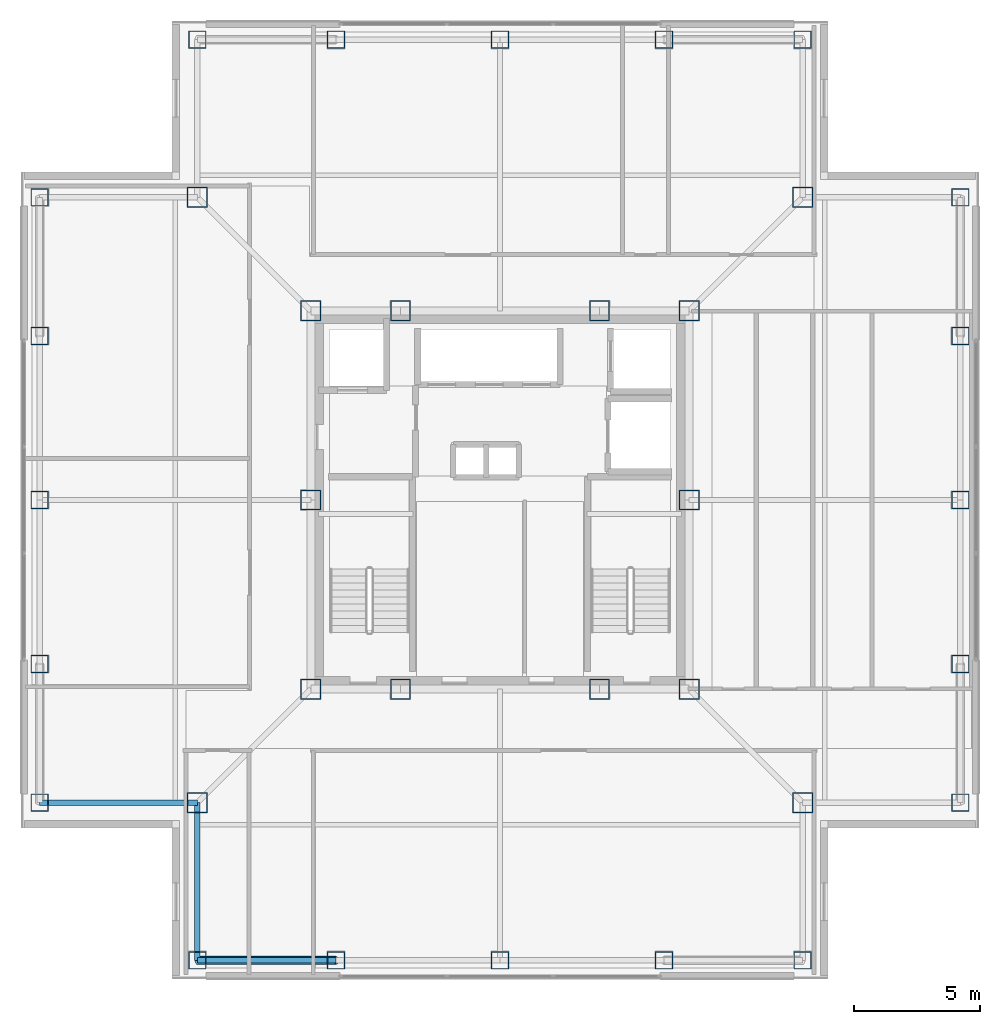
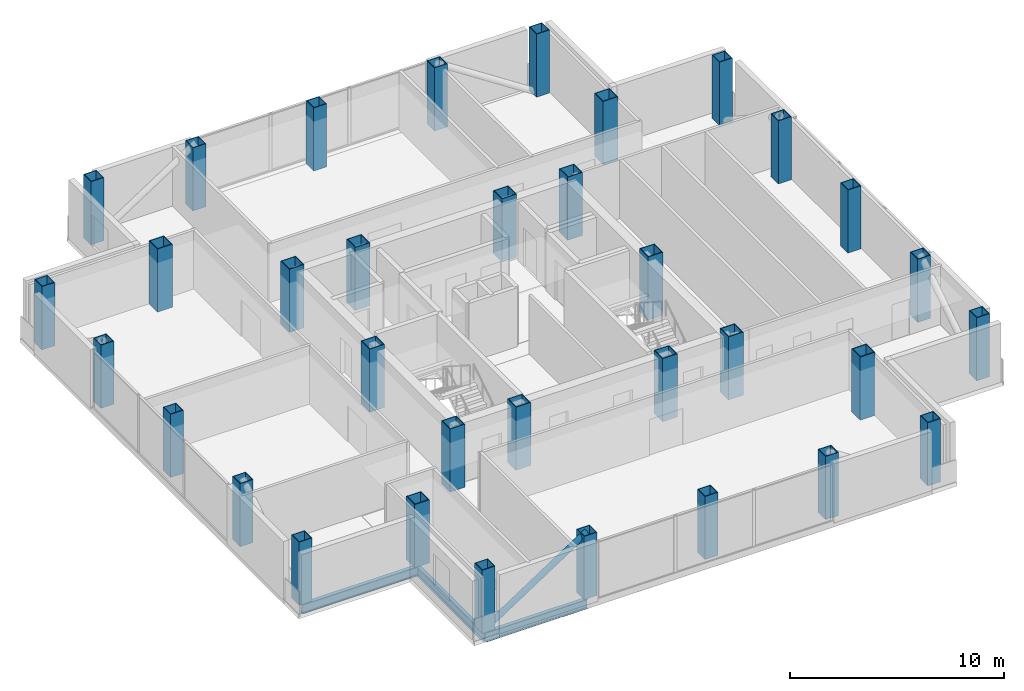
# One storey, part 1 of 16: 34 columns, 3 beams, 1 member.
"""IFC4 building model written with IfcOpenShell, lengths in metres."""

import ifcopenshell
import ifcopenshell.guid

model = None  # the IFC model being written
_history = None  # IfcOwnerHistory: only IFC2X3 demands one
_inside = {}  # id of a spatial element -> (the spatial element, [elements in it])
_under = {}  # id of a project, library or spatial element -> (it, [spatial elements below it])
_declared = {}  # id of a project -> (the project, [libraries it declares])
_typed = {}  # id of a type object -> (the type object, [elements of that type])
_made_of = {}  # id of a material, layer set ... -> (it, [elements and type objects made of it])


def new_model(schema):
    """Start an empty IFC model of exactly this schema.

    Asked for "IFC4X3", IfcOpenShell would pick the latest addendum, in which some entities
    have other attributes; the version numbers below select the first issue.
    IFC2X3 requires an IfcOwnerHistory on every rooted entity: one is made here for all.
    """
    global model, _history
    if schema == "IFC4X3":
        model = ifcopenshell.file(schema_version=(4, 3, 0, 0))
    else:
        model = ifcopenshell.file(schema=schema)
    _inside.clear()
    _under.clear()
    _declared.clear()
    _typed.clear()
    _made_of.clear()
    _history = None
    if model.schema == "IFC2X3":
        org = make("IfcOrganization", Name="unknown")
        user = make(
            "IfcPersonAndOrganization",
            ThePerson=make("IfcPerson", FamilyName="unknown"),
            TheOrganization=org,
        )
        app = make(
            "IfcApplication",
            ApplicationDeveloper=org,
            Version="unknown",
            ApplicationFullName="unknown",
            ApplicationIdentifier="unknown",
        )
        _history = make(
            "IfcOwnerHistory",
            OwningUser=user,
            OwningApplication=app,
            ChangeAction="ADDED",
            CreationDate=0,
        )
    return model


def make(cls, **values):
    """One entity of the class cls with the attributes given. An attribute that is None is left unset."""
    return model.create_entity(
        cls, **{name: value for name, value in values.items() if value is not None}
    )


def rooted(cls, **values):
    """An entity with a GlobalId (a new one), such as an element, a storey or a relation."""
    return make(cls, GlobalId=ifcopenshell.guid.new(), OwnerHistory=_history, **values)


def si_unit(unit_type, name, prefix=None):
    """IfcSIUnit, for example si_unit("LENGTHUNIT", "METRE", prefix="MILLI")."""
    return make("IfcSIUnit", UnitType=unit_type, Prefix=prefix, Name=name)


def assignment(units):
    """IfcUnitAssignment: the units of a project."""
    return None if units is None else make("IfcUnitAssignment", Units=units)


def point(xyz):
    """IfcCartesianPoint."""
    return None if xyz is None else make("IfcCartesianPoint", Coordinates=xyz)


def direction(xyz):
    """IfcDirection."""
    return None if xyz is None else make("IfcDirection", DirectionRatios=xyz)


def frame(location, z_axis=None, x_axis=None):
    """IfcAxis2Placement3D, a coordinate frame: its origin and axes. An axis left out is left unset."""
    return make(
        "IfcAxis2Placement3D",
        Location=point(location),
        Axis=direction(z_axis),
        RefDirection=direction(x_axis),
    )


def frame_2d(location, x_axis=None):
    """IfcAxis2Placement2D, a coordinate frame in the plane: its origin and x axis."""
    return make(
        "IfcAxis2Placement2D", Location=point(location), RefDirection=direction(x_axis)
    )


def origin():
    """The frame at (0, 0, 0) with its axes left unset."""
    return frame((0.0, 0.0, 0.0))


def origin_2d():
    """The frame at (0, 0) in the plane with its x axis left unset."""
    return frame_2d((0.0, 0.0))


def place(relative_to, where):
    """IfcLocalPlacement: puts the frame where relative to a parent placement (None: the world)."""
    return make(
        "IfcLocalPlacement", PlacementRelTo=relative_to, RelativePlacement=where
    )


def context(
    kind, dimensions, precision=None, world=None, true_north=None, identifier=None
):
    """IfcGeometricRepresentationContext, for example the 3D "Model" context."""
    return make(
        "IfcGeometricRepresentationContext",
        ContextIdentifier=identifier,
        ContextType=kind,
        CoordinateSpaceDimension=dimensions,
        Precision=precision,
        WorldCoordinateSystem=world,
        TrueNorth=true_north,
    )


def subcontext(parent, identifier, kind, view, scale=None):
    """IfcGeometricRepresentationSubContext, for example "Body" below "Model"."""
    return make(
        "IfcGeometricRepresentationSubContext",
        ContextIdentifier=identifier,
        ContextType=kind,
        ParentContext=parent,
        TargetScale=scale,
        TargetView=view,
    )


def project(units=None, contexts=None):
    """IfcProject with its units and contexts."""
    return rooted(
        "IfcProject",
        Name="project",
        RepresentationContexts=contexts,
        UnitsInContext=assignment(units),
    )


def spatial(cls, under=None, at=None, **own):
    """A site, building, storey or space (cls), placed at a placement, below another one or the project."""
    s = rooted(cls, ObjectPlacement=at, **own)
    if under is not None:
        _under.setdefault(under.id(), (under, []))[1].append(s)
    return s


def profile(cls, at=None, kind="AREA", **sizes):
    """A parametric profile (cls). Its sizes go by their IFC names, for example OverallWidth=200.0."""
    return make(cls, ProfileType=kind, Position=at, **sizes)


def hollow_rectangle(**sizes):
    """IfcRectangleHollowProfileDef."""
    return profile("IfcRectangleHollowProfileDef", **sizes)


def hollow_circle(**sizes):
    """IfcCircleHollowProfileDef."""
    return profile("IfcCircleHollowProfileDef", **sizes)


def i_section(**sizes):
    """IfcIShapeProfileDef."""
    return profile("IfcIShapeProfileDef", **sizes)


def extrude(swept, where, along, depth):
    """IfcExtrudedAreaSolid: the profile swept, set in the frame where, extruded along a direction by depth."""
    return make(
        "IfcExtrudedAreaSolid",
        SweptArea=swept,
        Position=where,
        ExtrudedDirection=direction(along),
        Depth=depth,
    )


def shape(context_of_items, identifier, shape_type, items):
    """IfcShapeRepresentation: the items that make up one representation, for example the "Body"."""
    return make(
        "IfcShapeRepresentation",
        ContextOfItems=context_of_items,
        RepresentationIdentifier=identifier,
        RepresentationType=shape_type,
        Items=items,
    )


def material(Name=None, Category=None):
    """IfcMaterial."""
    return make("IfcMaterial", Name=Name, Category=Category)


def material_profile(
    of_material, cross_section, Name=None, Category=None, Priority=None
):
    """IfcMaterialProfile: a cross section and its material."""
    return make(
        "IfcMaterialProfile",
        Name=Name,
        Material=of_material,
        Profile=cross_section,
        Priority=Priority,
        Category=Category,
    )


def profile_set(profiles, Name=None, composite=None):
    """IfcMaterialProfileSet."""
    return make(
        "IfcMaterialProfileSet",
        Name=Name,
        MaterialProfiles=profiles,
        CompositeProfile=composite,
    )


def made_of(thing, what):
    """Note that an element or type object is made of a material, layer set ...; save() writes the relation."""
    if what is not None:
        _made_of.setdefault(what.id(), (what, []))[1].append(thing)
    return thing


def type_object(cls, material=None, **own):
    """A type object (cls), such as IfcWallType, which elements share."""
    return made_of(rooted(cls, **own), material)


def element(
    cls,
    number,
    at=None,
    inside=None,
    cuts=None,
    type_object=None,
    material=None,
    context=None,
    identifier="Body",
    shape_type=None,
    held_by="IfcProductDefinitionShape",
    body=None,
    shapes=None,
    **own,
):
    """One element of the class cls, such as IfcWall. Its Tag is "e" and its number.

    at: its placement. inside: the storey or other place that contains it. cuts: it is an
    opening in that element (IfcRelVoidsElement). A single representation is given by context,
    identifier, shape_type and body (its items); several are given by shapes. held_by: the class
    of the entity that holds the representations. save() writes the other relations.
    """
    e = rooted(cls, Tag="e%d" % number, ObjectPlacement=at, **own)
    if body is not None:
        shapes = [shape(context, identifier, shape_type, body)]
    if shapes is not None:
        e.Representation = make(held_by, Representations=shapes)
    if inside is not None:
        _inside.setdefault(inside.id(), (inside, []))[1].append(e)
    if cuts is not None:
        rooted(
            "IfcRelVoidsElement", RelatingBuildingElement=cuts, RelatedOpeningElement=e
        )
    if type_object is not None:
        _typed.setdefault(type_object.id(), (type_object, []))[1].append(e)
    return made_of(e, material)


def aggregate(whole, parts):
    """IfcRelAggregates: a whole, such as a stair, and the parts it consists of."""
    return rooted("IfcRelAggregates", RelatingObject=whole, RelatedObjects=parts)


def save(model, path):
    """Write the relations noted so far, then the file.

    IfcRelAggregates (storeys below a building ...), IfcRelContainedInSpatialStructure (elements
    in a storey), IfcRelDefinesByType, IfcRelAssociatesMaterial and IfcRelDeclares: one each for
    every whole, place, type object, material and project.
    """
    for whole, parts in _under.values():
        aggregate(whole, parts)
    for where, things in _inside.values():
        rooted(
            "IfcRelContainedInSpatialStructure",
            RelatedElements=things,
            RelatingStructure=where,
        )
    for kind, things in _typed.values():
        rooted("IfcRelDefinesByType", RelatedObjects=things, RelatingType=kind)
    for what, things in _made_of.values():
        rooted("IfcRelAssociatesMaterial", RelatedObjects=things, RelatingMaterial=what)
    for by, libraries in _declared.values():
        rooted("IfcRelDeclares", RelatingContext=by, RelatedDefinitions=libraries)
    model.write(path)


model = new_model("IFC4")

# Units and contexts
model_context = context("Model", 3, precision=1e-05, world=origin(), true_north=direction((0.0, 1.0)))
body_context = subcontext(model_context, "Body", "Model", "MODEL_VIEW")
ifc_project = project(units=[si_unit("LENGTHUNIT", "METRE"), si_unit("AREAUNIT", "SQUARE_METRE"), si_unit("VOLUMEUNIT", "CUBIC_METRE"), si_unit("PLANEANGLEUNIT", "RADIAN"), si_unit("MASSUNIT", "GRAM", prefix="KILO")], contexts=[model_context])

# Site, building, storey
site_placement = place(None, origin())
site = spatial("IfcSite", under=ifc_project, at=site_placement, CompositionType="ELEMENT")
building_placement = place(site_placement, origin())
building = spatial("IfcBuilding", under=site, at=building_placement, Name="Trevonay Congress Spire", CompositionType="ELEMENT")
storey_placement = place(building_placement, frame((0.0, 0.0, 257.60009765625)))
storey = spatial("IfcBuildingStorey", under=building, at=storey_placement, Name="L67", CompositionType="ELEMENT", Elevation=257.60009765625)

# Columns
ifc_material_1 = material(Name="Steel ASTM A572 Grade 50", Category="steel")
ifc_material_profile_1 = material_profile(ifc_material_1, hollow_rectangle(XDim=0.800048828125, YDim=0.800048828125, WallThickness=0.0400390625, at=origin_2d()), Name="BOX 800x800x40")
ifc_profile_set_1 = profile_set([ifc_material_profile_1], Name="Steel ASTM A572 Grade 50")
column_type_1 = type_object("IfcColumnType", Name="COL-CORE-BOX800", PredefinedType="COLUMN", material=ifc_profile_set_1)
for number, where, z_axis, x_axis, name in (
    (1, (-7.5, -7.5, 0.0), (0.0, 0.0, 1.0), (1.0, 0.0, 0.0), "L67 column C05 at CC-SW"),
    (2, (-3.949951171875, -7.5, 0.0), (0.0, 0.0, 1.0), (1.0, 0.0, 0.0), "L67 column C05 at CC-SMW"),
    (3, (3.949951171875, -7.5, 0.0), (0.0, 0.0, 1.0), (1.0, 0.0, 0.0), "L67 column C05 at CC-SME"),
    (4, (7.5, -7.5, 0.0), (0.0, 0.0, 1.0), (1.0, 0.0, 0.0), "L67 column C05 at CC-SE"),
    (5, (7.5, 0.0, 0.0), (0.0, 0.0, 1.0), (1.0, 0.0, 0.0), "L67 column C05 at CC-E"),
    (6, (7.5, 7.5, 0.0), (0.0, 0.0, 1.0), (1.0, 0.0, 0.0), "L67 column C05 at CC-NE"),
    (7, (3.949951171875, 7.5, 0.0), (0.0, 0.0, 1.0), (1.0, 0.0, 0.0), "L67 column C05 at CC-NME"),
    (8, (-3.949951171875, 7.5, 0.0), (0.0, 0.0, 1.0), (1.0, 0.0, 0.0), "L67 column C05 at CC-NMW"),
    (9, (-7.5, 7.5, 0.0), (0.0, 0.0, 1.0), (1.0, 0.0, 0.0), "L67 column C05 at CC-NW"),
    (10, (-7.5, 0.0, 0.0), (0.0, 0.0, 1.0), (1.0, 0.0, 0.0), "L67 column C05 at CC-W"),
):
    element("IfcColumn", number, at=place(storey_placement, frame(where, z_axis=z_axis, x_axis=x_axis)), inside=storey, type_object=column_type_1, Name=name, PredefinedType="COLUMN", context=body_context, shape_type="SweptSolid", body=[
        extrude(hollow_rectangle(XDim=0.800048828125, YDim=0.800048828125, WallThickness=0.0400390625, at=origin_2d()), origin(), (0.0, 0.0, 1.0), 3.599853515625),
    ])
ifc_material_profile_2 = material_profile(ifc_material_1, hollow_rectangle(XDim=0.699951171875, YDim=0.699951171875, WallThickness=0.034912109375, at=origin_2d()), Name="BOX 700x700x35")
ifc_profile_set_2 = profile_set([ifc_material_profile_2], Name="Steel ASTM A572 Grade 50")
column_type_2 = type_object("IfcColumnType", Name="COL-TUBE-BOX700", PredefinedType="COLUMN", material=ifc_profile_set_2)
for number, where, z_axis, x_axis, name in (
    (11, (-12.0, -18.25, 0.0), (0.0, 0.0, 1.0), (1.0, 0.0, 0.0), "L67 column C17 at TS-1"),
    (12, (-12.0, 18.25, 0.0), (0.0, 0.0, 1.0), (1.0, 0.0, 0.0), "L67 column C17 at TN-1"),
    (13, (-18.25, -12.0, 0.0), (0.0, 0.0, 1.0), (1.0, 0.0, 0.0), "L67 column C17 at TW-1"),
    (14, (18.25, -12.0, 0.0), (0.0, 0.0, 1.0), (1.0, 0.0, 0.0), "L67 column C17 at TE-1"),
    (15, (-6.5, -18.25, 0.0), (0.0, 0.0, 1.0), (1.0, 0.0, 0.0), "L67 column C17 at TS-2"),
    (16, (-6.5, 18.25, 0.0), (0.0, 0.0, 1.0), (1.0, 0.0, 0.0), "L67 column C17 at TN-2"),
    (17, (-18.25, -6.5, 0.0), (0.0, 0.0, 1.0), (1.0, 0.0, 0.0), "L67 column C17 at TW-2"),
    (18, (18.25, -6.5, 0.0), (0.0, 0.0, 1.0), (1.0, 0.0, 0.0), "L67 column C17 at TE-2"),
    (19, (0.0, -18.25, 0.0), (0.0, 0.0, 1.0), (1.0, 0.0, 0.0), "L67 column C17 at TS-3"),
    (20, (0.0, 18.25, 0.0), (0.0, 0.0, 1.0), (1.0, 0.0, 0.0), "L67 column C17 at TN-3"),
    (21, (-18.25, 0.0, 0.0), (0.0, 0.0, 1.0), (1.0, 0.0, 0.0), "L67 column C17 at TW-3"),
    (22, (18.25, 0.0, 0.0), (0.0, 0.0, 1.0), (1.0, 0.0, 0.0), "L67 column C17 at TE-3"),
    (23, (6.5, -18.25, 0.0), (0.0, 0.0, 1.0), (1.0, 0.0, 0.0), "L67 column C17 at TS-4"),
    (24, (6.5, 18.25, 0.0), (0.0, 0.0, 1.0), (1.0, 0.0, 0.0), "L67 column C17 at TN-4"),
    (25, (-18.25, 6.5, 0.0), (0.0, 0.0, 1.0), (1.0, 0.0, 0.0), "L67 column C17 at TW-4"),
    (26, (18.25, 6.5, 0.0), (0.0, 0.0, 1.0), (1.0, 0.0, 0.0), "L67 column C17 at TE-4"),
    (27, (12.0, -18.25, 0.0), (0.0, 0.0, 1.0), (1.0, 0.0, 0.0), "L67 column C17 at TS-5"),
    (28, (12.0, 18.25, 0.0), (0.0, 0.0, 1.0), (1.0, 0.0, 0.0), "L67 column C17 at TN-5"),
    (29, (-18.25, 12.0, 0.0), (0.0, 0.0, 1.0), (1.0, 0.0, 0.0), "L67 column C17 at TW-5"),
    (30, (18.25, 12.0, 0.0), (0.0, 0.0, 1.0), (1.0, 0.0, 0.0), "L67 column C17 at TE-5"),
):
    element("IfcColumn", number, at=place(storey_placement, frame(where, z_axis=z_axis, x_axis=x_axis)), inside=storey, type_object=column_type_2, Name=name, PredefinedType="COLUMN", context=body_context, shape_type="SweptSolid", body=[
        extrude(hollow_rectangle(XDim=0.699951171875, YDim=0.699951171875, WallThickness=0.034912109375, at=origin_2d()), origin(), (0.0, 0.0, 1.0), 3.599853515625),
    ])
ifc_material_profile_3 = material_profile(ifc_material_1, hollow_rectangle(XDim=0.800048828125, YDim=0.800048828125, WallThickness=0.0400390625, at=origin_2d()), Name="BOX 800x800x40")
ifc_profile_set_3 = profile_set([ifc_material_profile_3], Name="Steel ASTM A572 Grade 50")
column_type_3 = type_object("IfcColumnType", Name="COL-TUBE-BOX800", PredefinedType="COLUMN", material=ifc_profile_set_3)
for number, where, z_axis, x_axis, name in (
    (31, (-12.0, -12.0, 0.0), (0.0, 0.0, 1.0), (1.0, 0.0, 0.0), "L67 column C16 at NC-SW"),
    (32, (12.0, -12.0, 0.0), (0.0, 0.0, 1.0), (1.0, 0.0, 0.0), "L67 column C16 at NC-SE"),
    (33, (12.0, 12.0, 0.0), (0.0, 0.0, 1.0), (1.0, 0.0, 0.0), "L67 column C16 at NC-NE"),
    (34, (-12.0, 12.0, 0.0), (0.0, 0.0, 1.0), (1.0, 0.0, 0.0), "L67 column C16 at NC-NW"),
):
    element("IfcColumn", number, at=place(storey_placement, frame(where, z_axis=z_axis, x_axis=x_axis)), inside=storey, type_object=column_type_3, Name=name, PredefinedType="COLUMN", context=body_context, shape_type="SweptSolid", body=[
        extrude(hollow_rectangle(XDim=0.800048828125, YDim=0.800048828125, WallThickness=0.0400390625, at=origin_2d()), origin(), (0.0, 0.0, 1.0), 3.599853515625),
    ])

# Beams
ifc_material_profile_4 = material_profile(ifc_material_1, i_section(OverallWidth=0.208984375, OverallDepth=0.532958984375, WebThickness=0.01025390625, FlangeThickness=0.015625, FilletRadius=0.014892578125, at=origin_2d()), Name="W530x92")
ifc_profile_set_4 = profile_set([ifc_material_profile_4], Name="Steel ASTM A572 Grade 50")
beam_type = type_object("IfcBeamType", Name="BM-RING-W530X92", PredefinedType="BEAM", material=ifc_profile_set_4)
beam_placement = place(storey_placement, frame((-12.0, -18.25, -0.506591796875), z_axis=(1.0, 0.0, 0.0), x_axis=(0.0, 1.0, 0.0)))
element("IfcBeam", 35, at=beam_placement, inside=storey, type_object=beam_type, Name="L67 structural beam BM-L67-PS1", PredefinedType="BEAM", context=body_context, shape_type="SweptSolid", body=[
    extrude(i_section(OverallWidth=0.208984375, OverallDepth=0.532958984375, WebThickness=0.01025390625, FlangeThickness=0.015625, FilletRadius=0.014892578125, at=origin_2d()), origin(), (0.0, 0.0, 1.0), 5.5),
])
for number, where, z_axis, x_axis, name in (
    (36, (-12.0, -18.25, -0.506591796875), (0.0, 1.0, 0.0), (-1.0, 0.0, 0.0), "L67 structural beam BM-L67-N1SW"),
    (37, (-18.25, -12.0, -0.506591796875), (1.0, 0.0, 0.0), (0.0, 1.0, 0.0), "L67 structural beam BM-L67-N2SW"),
):
    element("IfcBeam", number, at=place(storey_placement, frame(where, z_axis=z_axis, x_axis=x_axis)), inside=storey, type_object=beam_type, Name=name, PredefinedType="BEAM", context=body_context, shape_type="SweptSolid", body=[
        extrude(i_section(OverallWidth=0.208984375, OverallDepth=0.532958984375, WebThickness=0.01025390625, FlangeThickness=0.015625, FilletRadius=0.014892578125, at=origin_2d()), origin(), (0.0, 0.0, 1.0), 6.25),
    ])

# Member
ifc_material_2 = material(Name="Steel ASTM A500 Grade C", Category="steel")
ifc_material_profile_5 = material_profile(ifc_material_2, hollow_circle(Radius=0.161865234375, WallThickness=0.01611328125, at=origin_2d()), Name="CHS 323.9x16")
ifc_profile_set_5 = profile_set([ifc_material_profile_5], Name="Steel ASTM A500 Grade C")
member_type = type_object("IfcMemberType", Name="MBR-TUBE-CHS324", PredefinedType="BRACE", material=ifc_profile_set_5)
member_placement = place(storey_placement, frame((-12.0, -18.25, -0.050048828125), z_axis=(0.836711728151, 0.0, 0.547643573845), x_axis=(0.0, 1.0, 0.0)))
element("IfcMember", 38, at=member_placement, inside=storey, type_object=member_type, Name="L67 perimeter braced-tube diagonal S0", PredefinedType="BRACE", context=body_context, shape_type="SweptSolid", body=[
    extrude(hollow_circle(Radius=0.161865234375, WallThickness=0.01611328125, at=origin_2d()), origin(), (0.0, 0.0, 1.0), 6.5732421875),
])

save(model, "model.ifc")
